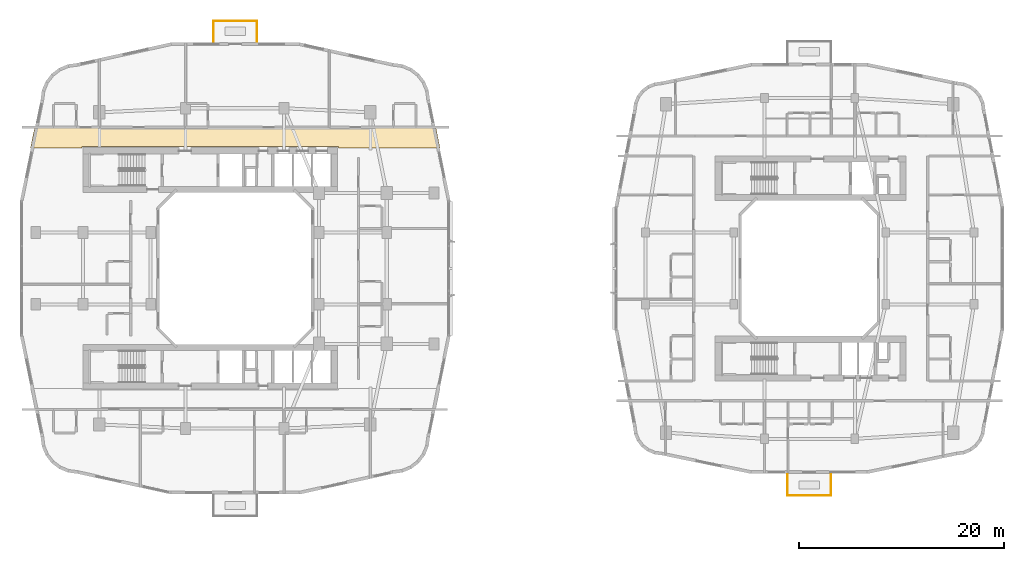
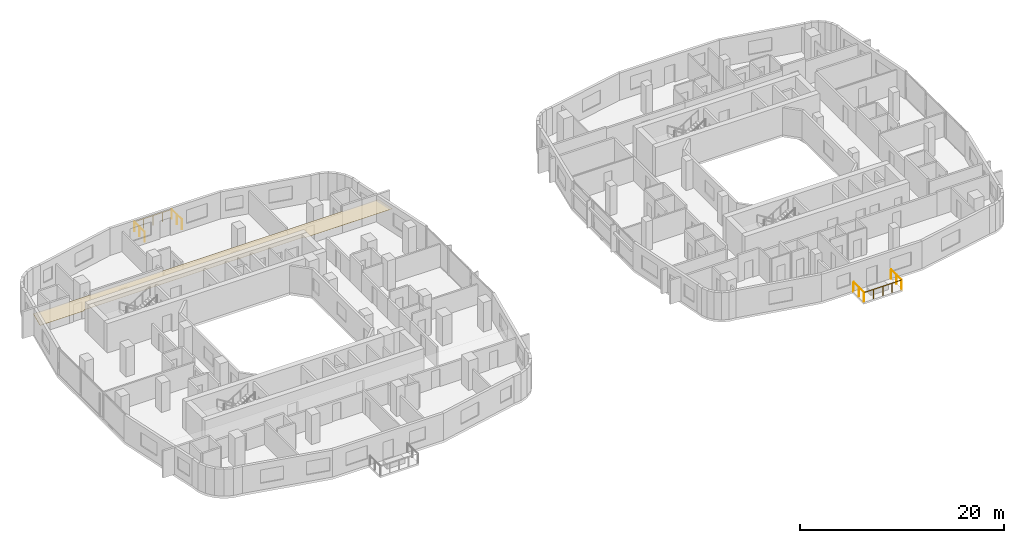
# One storey, part 21 of 22: 6 railings, 1 covering.
"""IFC4 building model written with IfcOpenShell, lengths in metres."""

import ifcopenshell
import ifcopenshell.guid

model = None  # the IFC model being written
_history = None  # IfcOwnerHistory: only IFC2X3 demands one
_inside = {}  # id of a spatial element -> (the spatial element, [elements in it])
_under = {}  # id of a project, library or spatial element -> (it, [spatial elements below it])
_declared = {}  # id of a project -> (the project, [libraries it declares])
_typed = {}  # id of a type object -> (the type object, [elements of that type])
_made_of = {}  # id of a material, layer set ... -> (it, [elements and type objects made of it])


def new_model(schema):
    """Start an empty IFC model of exactly this schema.

    Asked for "IFC4X3", IfcOpenShell would pick the latest addendum, in which some entities
    have other attributes; the version numbers below select the first issue.
    IFC2X3 requires an IfcOwnerHistory on every rooted entity: one is made here for all.
    """
    global model, _history
    if schema == "IFC4X3":
        model = ifcopenshell.file(schema_version=(4, 3, 0, 0))
    else:
        model = ifcopenshell.file(schema=schema)
    _inside.clear()
    _under.clear()
    _declared.clear()
    _typed.clear()
    _made_of.clear()
    _history = None
    if model.schema == "IFC2X3":
        org = make("IfcOrganization", Name="unknown")
        user = make(
            "IfcPersonAndOrganization",
            ThePerson=make("IfcPerson", FamilyName="unknown"),
            TheOrganization=org,
        )
        app = make(
            "IfcApplication",
            ApplicationDeveloper=org,
            Version="unknown",
            ApplicationFullName="unknown",
            ApplicationIdentifier="unknown",
        )
        _history = make(
            "IfcOwnerHistory",
            OwningUser=user,
            OwningApplication=app,
            ChangeAction="ADDED",
            CreationDate=0,
        )
    return model


def make(cls, **values):
    """One entity of the class cls with the attributes given. An attribute that is None is left unset."""
    return model.create_entity(
        cls, **{name: value for name, value in values.items() if value is not None}
    )


def rooted(cls, **values):
    """An entity with a GlobalId (a new one), such as an element, a storey or a relation."""
    return make(cls, GlobalId=ifcopenshell.guid.new(), OwnerHistory=_history, **values)


def si_unit(unit_type, name, prefix=None):
    """IfcSIUnit, for example si_unit("LENGTHUNIT", "METRE", prefix="MILLI")."""
    return make("IfcSIUnit", UnitType=unit_type, Prefix=prefix, Name=name)


def derived_unit(unit_type, elements):
    """IfcDerivedUnit: a product of units, each with its exponent."""
    return make(
        "IfcDerivedUnit",
        Elements=[
            make("IfcDerivedUnitElement", Unit=unit, Exponent=power)
            for unit, power in elements
        ],
        UnitType=unit_type,
    )


def assignment(units):
    """IfcUnitAssignment: the units of a project."""
    return None if units is None else make("IfcUnitAssignment", Units=units)


def point(xyz):
    """IfcCartesianPoint."""
    return None if xyz is None else make("IfcCartesianPoint", Coordinates=xyz)


def direction(xyz):
    """IfcDirection."""
    return None if xyz is None else make("IfcDirection", DirectionRatios=xyz)


def frame(location, z_axis=None, x_axis=None):
    """IfcAxis2Placement3D, a coordinate frame: its origin and axes. An axis left out is left unset."""
    return make(
        "IfcAxis2Placement3D",
        Location=point(location),
        Axis=direction(z_axis),
        RefDirection=direction(x_axis),
    )


def frame_2d(location, x_axis=None):
    """IfcAxis2Placement2D, a coordinate frame in the plane: its origin and x axis."""
    return make(
        "IfcAxis2Placement2D", Location=point(location), RefDirection=direction(x_axis)
    )


def origin():
    """The frame at (0, 0, 0) with its axes left unset."""
    return frame((0.0, 0.0, 0.0))


def origin_2d():
    """The frame at (0, 0) in the plane with its x axis left unset."""
    return frame_2d((0.0, 0.0))


def place(relative_to, where):
    """IfcLocalPlacement: puts the frame where relative to a parent placement (None: the world)."""
    return make(
        "IfcLocalPlacement", PlacementRelTo=relative_to, RelativePlacement=where
    )


def context(
    kind, dimensions, precision=None, world=None, true_north=None, identifier=None
):
    """IfcGeometricRepresentationContext, for example the 3D "Model" context."""
    return make(
        "IfcGeometricRepresentationContext",
        ContextIdentifier=identifier,
        ContextType=kind,
        CoordinateSpaceDimension=dimensions,
        Precision=precision,
        WorldCoordinateSystem=world,
        TrueNorth=true_north,
    )


def subcontext(parent, identifier, kind, view, scale=None):
    """IfcGeometricRepresentationSubContext, for example "Body" below "Model"."""
    return make(
        "IfcGeometricRepresentationSubContext",
        ContextIdentifier=identifier,
        ContextType=kind,
        ParentContext=parent,
        TargetScale=scale,
        TargetView=view,
    )


def project(units=None, contexts=None):
    """IfcProject with its units and contexts."""
    return rooted(
        "IfcProject",
        Name="project",
        RepresentationContexts=contexts,
        UnitsInContext=assignment(units),
    )


def spatial(cls, under=None, at=None, **own):
    """A site, building, storey or space (cls), placed at a placement, below another one or the project."""
    s = rooted(cls, ObjectPlacement=at, **own)
    if under is not None:
        _under.setdefault(under.id(), (under, []))[1].append(s)
    return s


def polyline(points):
    """IfcPolyline through the points."""
    return make("IfcPolyline", Points=[point(p) for p in points])


def profile(cls, at=None, kind="AREA", **sizes):
    """A parametric profile (cls). Its sizes go by their IFC names, for example OverallWidth=200.0."""
    return make(cls, ProfileType=kind, Position=at, **sizes)


def circle(**sizes):
    """IfcCircleProfileDef."""
    return profile("IfcCircleProfileDef", **sizes)


def outline(outer, holes=None, kind="AREA"):
    """IfcArbitraryClosedProfileDef: a profile drawn as a closed curve; with holes, ...WithVoids."""
    if holes is None:
        return make("IfcArbitraryClosedProfileDef", ProfileType=kind, OuterCurve=outer)
    return make(
        "IfcArbitraryProfileDefWithVoids",
        ProfileType=kind,
        OuterCurve=outer,
        InnerCurves=holes,
    )


def extrude(swept, where, along, depth):
    """IfcExtrudedAreaSolid: the profile swept, set in the frame where, extruded along a direction by depth."""
    return make(
        "IfcExtrudedAreaSolid",
        SweptArea=swept,
        Position=where,
        ExtrudedDirection=direction(along),
        Depth=depth,
    )


def shape(context_of_items, identifier, shape_type, items):
    """IfcShapeRepresentation: the items that make up one representation, for example the "Body"."""
    return make(
        "IfcShapeRepresentation",
        ContextOfItems=context_of_items,
        RepresentationIdentifier=identifier,
        RepresentationType=shape_type,
        Items=items,
    )


def material(Name=None, Category=None):
    """IfcMaterial."""
    return make("IfcMaterial", Name=Name, Category=Category)


def layer(
    of_material, thickness, ventilated=None, Name=None, Category=None, Priority=None
):
    """IfcMaterialLayer: one layer of a wall or slab, of a material (None: an air gap)."""
    return make(
        "IfcMaterialLayer",
        Material=of_material,
        LayerThickness=thickness,
        IsVentilated=ventilated,
        Name=Name,
        Category=Category,
        Priority=Priority,
    )


def layer_set(layers, Name=None):
    """IfcMaterialLayerSet."""
    return make("IfcMaterialLayerSet", MaterialLayers=layers, LayerSetName=Name)


def made_of(thing, what):
    """Note that an element or type object is made of a material, layer set ...; save() writes the relation."""
    if what is not None:
        _made_of.setdefault(what.id(), (what, []))[1].append(thing)
    return thing


def type_object(cls, material=None, **own):
    """A type object (cls), such as IfcWallType, which elements share."""
    return made_of(rooted(cls, **own), material)


def element(
    cls,
    number,
    at=None,
    inside=None,
    cuts=None,
    type_object=None,
    material=None,
    context=None,
    identifier="Body",
    shape_type=None,
    held_by="IfcProductDefinitionShape",
    body=None,
    shapes=None,
    **own,
):
    """One element of the class cls, such as IfcWall. Its Tag is "e" and its number.

    at: its placement. inside: the storey or other place that contains it. cuts: it is an
    opening in that element (IfcRelVoidsElement). A single representation is given by context,
    identifier, shape_type and body (its items); several are given by shapes. held_by: the class
    of the entity that holds the representations. save() writes the other relations.
    """
    e = rooted(cls, Tag="e%d" % number, ObjectPlacement=at, **own)
    if body is not None:
        shapes = [shape(context, identifier, shape_type, body)]
    if shapes is not None:
        e.Representation = make(held_by, Representations=shapes)
    if inside is not None:
        _inside.setdefault(inside.id(), (inside, []))[1].append(e)
    if cuts is not None:
        rooted(
            "IfcRelVoidsElement", RelatingBuildingElement=cuts, RelatedOpeningElement=e
        )
    if type_object is not None:
        _typed.setdefault(type_object.id(), (type_object, []))[1].append(e)
    return made_of(e, material)


def aggregate(whole, parts):
    """IfcRelAggregates: a whole, such as a stair, and the parts it consists of."""
    return rooted("IfcRelAggregates", RelatingObject=whole, RelatedObjects=parts)


def save(model, path):
    """Write the relations noted so far, then the file.

    IfcRelAggregates (storeys below a building ...), IfcRelContainedInSpatialStructure (elements
    in a storey), IfcRelDefinesByType, IfcRelAssociatesMaterial and IfcRelDeclares: one each for
    every whole, place, type object, material and project.
    """
    for whole, parts in _under.values():
        aggregate(whole, parts)
    for where, things in _inside.values():
        rooted(
            "IfcRelContainedInSpatialStructure",
            RelatedElements=things,
            RelatingStructure=where,
        )
    for kind, things in _typed.values():
        rooted("IfcRelDefinesByType", RelatedObjects=things, RelatingType=kind)
    for what, things in _made_of.values():
        rooted("IfcRelAssociatesMaterial", RelatedObjects=things, RelatingMaterial=what)
    for by, libraries in _declared.values():
        rooted("IfcRelDeclares", RelatingContext=by, RelatedDefinitions=libraries)
    model.write(path)


model = new_model("IFC4")

# Units and contexts
model_context = context("Model", 3, precision=1e-05, world=origin(), true_north=direction((0.0, 1.0)))
body_context = subcontext(model_context, "Body", "Model", "MODEL_VIEW")
ifc_project = project(units=[si_unit("LENGTHUNIT", "METRE"), si_unit("AREAUNIT", "SQUARE_METRE"), si_unit("VOLUMEUNIT", "CUBIC_METRE"), si_unit("PLANEANGLEUNIT", "RADIAN"), si_unit("MASSUNIT", "GRAM", prefix="KILO"), derived_unit("THERMALTRANSMITTANCEUNIT", [(si_unit("POWERUNIT", "WATT"), 1), (si_unit("LENGTHUNIT", "METRE"), -2), (si_unit("THERMODYNAMICTEMPERATUREUNIT", "KELVIN"), -1)])], contexts=[model_context])

# Site, building, storey
site_placement = place(None, origin())
site = spatial("IfcSite", under=ifc_project, at=site_placement, CompositionType="ELEMENT")
building_placement = place(site_placement, origin())
building = spatial("IfcBuilding", under=site, at=building_placement, Name="Kivonza Crest Hotel", CompositionType="ELEMENT")
storey_placement = place(building_placement, frame((0.0, 0.0, 48.5)))
storey = spatial("IfcBuildingStorey", under=building, at=storey_placement, Name="L12", CompositionType="ELEMENT", Elevation=48.5)

# Covering
ifc_material_1 = material(Name="Mineral-fibre acoustic ceiling tile", Category="gypsum")
ifc_layer = layer(ifc_material_1, 0.02490234375)
ifc_layer_set = layer_set([ifc_layer], Name="Mineral-fibre acoustic ceiling tile")
covering_type = type_object("IfcCoveringType", Name="CV-CEIL-ACOU", PredefinedType="CEILING", material=ifc_layer_set)
covering_placement = place(storey_placement, frame((0.0, 0.0, 2.449951171875)))
element("IfcCovering", 1, at=covering_placement, inside=storey, type_object=covering_type, Name="L12 Hotel North Guest Corridor suspended ceiling", PredefinedType="CEILING", context=body_context, shape_type="SweptSolid", body=[
    extrude(outline(polyline([(1.506103515625, 38.7900390625), (1.083984375, 36.719970703125), (6.10009765625, 36.719970703125), (6.10009765625, 36.860107421875), (31.10009765625, 36.860107421875), (31.10009765625, 36.719970703125), (40.99609375, 36.719970703125), (40.573974609375, 38.7900390625), (1.506103515625, 38.7900390625)])), origin(), (0.0, 0.0, 1.0), 0.025146484375),
])

# Railings
ifc_material_2 = material(Name="Laminated glass and stainless steel balustrade", Category="steel")
railing_type = type_object("IfcRailingType", Name="RL-TERR-1150", PredefinedType="BALUSTRADE", material=ifc_material_2)
railing_1_placement = place(storey_placement, frame((18.919921875, 47.080078125, 0.0)))
element("IfcRailing", 2, at=railing_1_placement, inside=storey, type_object=railing_type, Name="L12 T1-L12-SG-NE perimeter safety balustrade 1", PredefinedType="BALUSTRADE", context=body_context, shape_type="SweptSolid", body=[
    extrude(circle(Radius=0.02392578125, at=origin_2d()), frame((0.0, 0.0, 1.1259765625), z_axis=(0.0, 1.0, 0.0), x_axis=(-1.0, 0.0, 0.0)), (0.0, 0.0, 1.0), 2.0400390625),
    extrude(circle(Radius=0.02099609375, at=origin_2d()), origin(), (0.0, 0.0, 1.0), 1.101806640625),
    extrude(circle(Radius=0.02099609375, at=origin_2d()), frame((0.0, 1.02001953125, 0.0)), (0.0, 0.0, 1.0), 1.101806640625),
    extrude(circle(Radius=0.02099609375, at=origin_2d()), frame((0.0, 2.0400390625, 0.0)), (0.0, 0.0, 1.0), 1.101806640625),
])
railing_2_placement = place(storey_placement, frame((18.919921875, 49.1201171875, 0.0)))
element("IfcRailing", 3, at=railing_2_placement, inside=storey, type_object=railing_type, Name="L12 T1-L12-SG-NE perimeter safety balustrade 2", PredefinedType="BALUSTRADE", context=body_context, shape_type="SweptSolid", body=[
    extrude(circle(Radius=0.02392578125, at=origin_2d()), frame((0.0, 0.0, 1.1259765625), z_axis=(1.0, 0.0, 0.0), x_axis=(0.0, 1.0, 0.0)), (0.0, 0.0, 1.0), 4.239990234375),
    extrude(circle(Radius=0.02099609375, at=origin_2d()), origin(), (0.0, 0.0, 1.0), 1.101806640625),
    extrude(circle(Radius=0.02099609375, at=origin_2d()), frame((1.06005859375, 0.0, 0.0)), (0.0, 0.0, 1.0), 1.101806640625),
    extrude(circle(Radius=0.02099609375, at=origin_2d()), frame((2.1201171875, 0.0, 0.0)), (0.0, 0.0, 1.0), 1.101806640625),
    extrude(circle(Radius=0.02099609375, at=origin_2d()), frame((3.179931640625, 0.0, 0.0)), (0.0, 0.0, 1.0), 1.101806640625),
    extrude(circle(Radius=0.02099609375, at=origin_2d()), frame((4.239990234375, 0.0, 0.0)), (0.0, 0.0, 1.0), 1.101806640625),
])
railing_3_placement = place(storey_placement, frame((23.159912109375, 49.1201171875, 0.0)))
element("IfcRailing", 4, at=railing_3_placement, inside=storey, type_object=railing_type, Name="L12 T1-L12-SG-NE perimeter safety balustrade 3", PredefinedType="BALUSTRADE", context=body_context, shape_type="SweptSolid", body=[
    extrude(circle(Radius=0.02392578125, at=origin_2d()), frame((0.0, 0.0, 1.1259765625), z_axis=(0.0, -1.0, 0.0), x_axis=(1.0, 0.0, 0.0)), (0.0, 0.0, 1.0), 2.0400390625),
    extrude(circle(Radius=0.02099609375, at=origin_2d()), origin(), (0.0, 0.0, 1.0), 1.101806640625),
    extrude(circle(Radius=0.02099609375, at=origin_2d()), frame((0.0, -1.02001953125, 0.0)), (0.0, 0.0, 1.0), 1.101806640625),
    extrude(circle(Radius=0.02099609375, at=origin_2d()), frame((0.0, -2.0400390625, 0.0)), (0.0, 0.0, 1.0), 1.101806640625),
])
railing_4_placement = place(storey_placement, frame((74.840087890625, 2.8798828125, 0.0)))
element("IfcRailing", 5, at=railing_4_placement, inside=storey, type_object=railing_type, Name="L12 T2-L12-SG-SW perimeter safety balustrade 1", PredefinedType="BALUSTRADE", context=body_context, shape_type="SweptSolid", body=[
    extrude(circle(Radius=0.02392578125, at=origin_2d()), frame((0.0, 0.0, 1.1259765625), z_axis=(0.0, 1.0, 0.0), x_axis=(-1.0, 0.0, 0.0)), (0.0, 0.0, 1.0), 2.0400390625),
    extrude(circle(Radius=0.02099609375, at=origin_2d()), origin(), (0.0, 0.0, 1.0), 1.101806640625),
    extrude(circle(Radius=0.02099609375, at=origin_2d()), frame((0.0, 1.02001953125, 0.0)), (0.0, 0.0, 1.0), 1.101806640625),
    extrude(circle(Radius=0.02099609375, at=origin_2d()), frame((0.0, 2.0400390625, 0.0)), (0.0, 0.0, 1.0), 1.101806640625),
])
railing_5_placement = place(storey_placement, frame((79.080078125, 4.919921875, 0.0)))
element("IfcRailing", 6, at=railing_5_placement, inside=storey, type_object=railing_type, Name="L12 T2-L12-SG-SW perimeter safety balustrade 2", PredefinedType="BALUSTRADE", context=body_context, shape_type="SweptSolid", body=[
    extrude(circle(Radius=0.02392578125, at=origin_2d()), frame((0.0, 0.0, 1.1259765625), z_axis=(0.0, -1.0, 0.0), x_axis=(1.0, 0.0, 0.0)), (0.0, 0.0, 1.0), 2.0400390625),
    extrude(circle(Radius=0.02099609375, at=origin_2d()), origin(), (0.0, 0.0, 1.0), 1.101806640625),
    extrude(circle(Radius=0.02099609375, at=origin_2d()), frame((0.0, -1.02001953125, 0.0)), (0.0, 0.0, 1.0), 1.101806640625),
    extrude(circle(Radius=0.02099609375, at=origin_2d()), frame((0.0, -2.0400390625, 0.0)), (0.0, 0.0, 1.0), 1.101806640625),
])
railing_6_placement = place(storey_placement, frame((79.080078125, 2.8798828125, 0.0)))
element("IfcRailing", 7, at=railing_6_placement, inside=storey, type_object=railing_type, Name="L12 T2-L12-SG-SW perimeter safety balustrade 3", PredefinedType="BALUSTRADE", context=body_context, shape_type="SweptSolid", body=[
    extrude(circle(Radius=0.02392578125, at=origin_2d()), frame((0.0, 0.0, 1.1259765625), z_axis=(-1.0, 0.0, 0.0), x_axis=(0.0, -1.0, 0.0)), (0.0, 0.0, 1.0), 4.239990234375),
    extrude(circle(Radius=0.02099609375, at=origin_2d()), origin(), (0.0, 0.0, 1.0), 1.101806640625),
    extrude(circle(Radius=0.02099609375, at=origin_2d()), frame((-1.06005859375, 0.0, 0.0)), (0.0, 0.0, 1.0), 1.101806640625),
    extrude(circle(Radius=0.02099609375, at=origin_2d()), frame((-2.1201171875, 0.0, 0.0)), (0.0, 0.0, 1.0), 1.101806640625),
    extrude(circle(Radius=0.02099609375, at=origin_2d()), frame((-3.179931640625, 0.0, 0.0)), (0.0, 0.0, 1.0), 1.101806640625),
    extrude(circle(Radius=0.02099609375, at=origin_2d()), frame((-4.239990234375, 0.0, 0.0)), (0.0, 0.0, 1.0), 1.101806640625),
])

save(model, "model.ifc")
